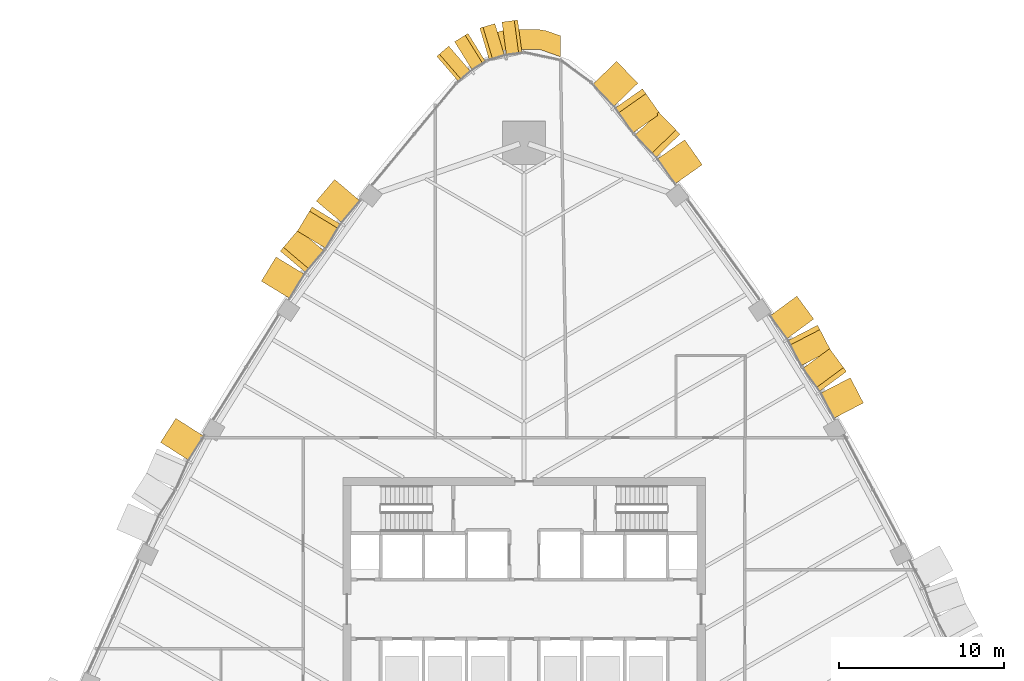
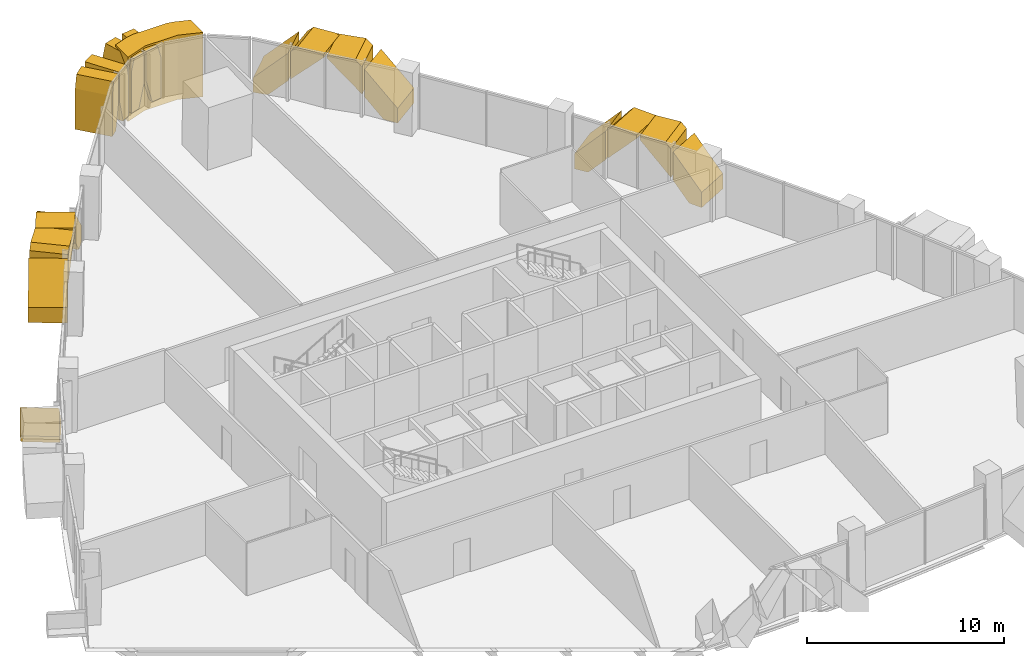
# One storey, part 16 of 17: 18 coverings.
"""IFC4 building model written with IfcOpenShell, lengths in metres."""

from ifc_helpers import new_model, si_unit, direction, frame, origin, place, context, subcontext, project, spatial, polyline, outline, extrude, material, layer, layer_set, type_object, element, save


model = new_model("IFC4")

# Units and contexts
model_context = context("Model", 3, precision=1e-05, world=origin(), true_north=direction((0.0, 1.0)))
body_context = subcontext(model_context, "Body", "Model", "MODEL_VIEW")
ifc_project = project(units=[si_unit("LENGTHUNIT", "METRE"), si_unit("AREAUNIT", "SQUARE_METRE"), si_unit("VOLUMEUNIT", "CUBIC_METRE"), si_unit("PLANEANGLEUNIT", "RADIAN"), si_unit("MASSUNIT", "GRAM", prefix="KILO")], contexts=[model_context])

# Site, building, storey
site_placement = place(None, origin())
site = spatial("IfcSite", under=ifc_project, at=site_placement, CompositionType="ELEMENT")
building_placement = place(site_placement, origin())
building = spatial("IfcBuilding", under=site, at=building_placement, Name="Sierra Prisma Convention Tower", CompositionType="ELEMENT")
storey_placement = place(building_placement, frame((0.0, 0.0, 145.800048828125)))
storey = spatial("IfcBuildingStorey", under=building, at=storey_placement, Name="L31", CompositionType="ELEMENT", Elevation=145.800048828125)

# Coverings
ifc_material_1 = material(Name="Aluminium composite bronze anodised", Category="aluminium")
ifc_layer_1 = layer(ifc_material_1, 1.199951171875)
ifc_layer_set_1 = layer_set([ifc_layer_1], Name="Bronze corner pier")
covering_type_1 = type_object("IfcCoveringType", Name="Bronze corner pier", PredefinedType="CLADDING", material=ifc_layer_set_1)
covering_1_placement = place(storey_placement, frame((0.0, 0.0, -0.60009765625)))
element("IfcCovering", 1, at=covering_1_placement, inside=storey, type_object=covering_type_1, Name="Corner pier N L31.1", PredefinedType="CLADDING", context=body_context, shape_type="SweptSolid", body=[
    extrude(outline(polyline([(-1.3603515625, 35.09326171875), (-0.9619140625, 35.161376953125), (0.9619140625, 35.161376953125), (1.3603515625, 35.09326171875), (2.199951171875, 34.7978515625), (2.199951171875, 33.525634765625), (0.9619140625, 33.961181640625), (-0.9619140625, 33.961181640625), (-2.199951171875, 33.525634765625), (-2.199951171875, 34.7978515625), (-1.3603515625, 35.09326171875)])), origin(), (0.0, 0.0, 1.0), 4.0),
])
ifc_material_2 = material(Name="Aluminium 6063-T6 bronze anodised", Category="aluminium")
ifc_layer_2 = layer(ifc_material_2, 2.0)
ifc_layer_set_2 = layer_set([ifc_layer_2], Name="Bronze crystal chevron frame")
covering_type_2 = type_object("IfcCoveringType", Name="Bronze crystal chevron frame", PredefinedType="CLADDING", material=ifc_layer_set_2)
covering_2_placement = place(storey_placement, frame((20.591552734375, 12.51171875, 0.0), z_axis=(0.887627337833, 0.460562382162, 3.5634634e-05), x_axis=(-0.460562382454, 0.887627338396, -4.555e-09)))
element("IfcCovering", 2, at=covering_2_placement, inside=storey, type_object=covering_type_2, Name="CW-2 chevron frame NE4.1.1", PredefinedType="CLADDING", context=body_context, shape_type="SweptSolid", body=[
    extrude(outline(polyline([(0.0, 0.0), (0.7571584826047386, -1.6940658945086007e-21), (1.724848879901245, 1.0458984460202074), (1.7248488718515862, 2.8132324292731035), (-4.320061357748229e-09, 0.9484863275227933), (0.0, 0.0)])), origin(), (0.0, 0.0, -1.0), 2.0),
])
covering_3_placement = place(storey_placement, frame((19.562744140625, 14.4189453125, 2.953857421875), z_axis=(0.80471118778, 0.593666491866, -2.6410711e-05), x_axis=(-2.1252995e-05, -1.5679154e-05, -0.999999999651)))
element("IfcCovering", 3, at=covering_3_placement, inside=storey, type_object=covering_type_2, Name="CW-2 chevron frame NE4.1.2", PredefinedType="CLADDING", context=body_context, shape_type="SweptSolid", body=[
    extrude(outline(polyline([(0.0, 0.0), (1.7673339837586197, -2.9939802271356837e-21), (-0.09765625019345438, 1.7247608329780504), (-0.3261718751137566, 1.7247608329780504), (-0.32617187650591295, 0.3015235497123155), (0.0, 0.0)])), origin(), (0.0, 0.0, -1.0), 2.0),
])
covering_4_placement = place(storey_placement, frame((18.6044921875, 15.701416015625, 3.280029296875), z_axis=(0.887615474039, 0.460585247012, 2.195471e-05), x_axis=(1.948734e-05, 1.0112015e-05, -0.999999999759)))
element("IfcCovering", 4, at=covering_4_placement, inside=storey, type_object=covering_type_2, Name="CW-2 chevron frame NE4.2.1", PredefinedType="CLADDING", context=body_context, shape_type="SweptSolid", body=[
    extrude(outline(polyline([(0.0, 0.0), (0.22851562494492667, 3.8712052667481695e-22), (2.093505859027673, 1.7248488850527868), (0.3261718750786089, 1.7248488850527868), (-9.620180342698328e-10, 1.423143030348667), (0.0, 0.0)])), origin(), (0.0, 0.0, -1.0), 2.0),
])
covering_5_placement = place(storey_placement, frame((16.551513671875, 18.99658203125, 0.0), z_axis=(0.804642416659, 0.593759699864, 1.14276e-05), x_axis=(-9.195132e-06, -6.785249e-06, 0.999999999935)))
element("IfcCovering", 5, at=covering_5_placement, inside=storey, type_object=covering_type_2, Name="CW-2 chevron frame NE4.2.2", PredefinedType="CLADDING", context=body_context, shape_type="SweptSolid", body=[
    extrude(outline(polyline([(0.0, 0.0), (0.9484863280630685, 8.033991699421281e-22), (2.813232421827894, 1.7249057812737236), (1.0458984375682918, 1.7249057812737236), (-3.546591102955343e-10, 0.7573468846027546), (0.0, 0.0)])), origin(), (0.0, 0.0, -1.0), 2.0),
])
covering_6_placement = place(storey_placement, frame((10.810791015625, 26.966796875, 0.0), z_axis=(0.817963094996, 0.57527069576, 4.270232e-05), x_axis=(-0.575270696284, 0.817963095742, -6.094e-09)))
element("IfcCovering", 6, at=covering_6_placement, inside=storey, type_object=covering_type_2, Name="CW-2 chevron frame NE6.1.1", PredefinedType="CLADDING", context=body_context, shape_type="SweptSolid", body=[
    extrude(outline(polyline([(0.0, 0.0), (0.7840122140020813, 0.0), (1.8532568274302477, 1.0810546997793504), (1.8532568170321013, 2.7873535263486424), (-5.5687884205800895e-09, 0.9138183585418314), (0.0, 0.0)])), origin(), (0.0, 0.0, -1.0), 2.0),
])
covering_7_placement = place(storey_placement, frame((9.4619140625, 28.824462890625, 2.9189453125), z_axis=(0.717890186924, 0.696156361207, -1.6406022e-05), x_axis=(-1.1777722e-05, -1.1421156e-05, -0.999999999865)))
element("IfcCovering", 7, at=covering_7_placement, inside=storey, type_object=covering_type_2, Name="CW-2 chevron frame NE6.1.2", PredefinedType="CLADDING", context=body_context, shape_type="SweptSolid", body=[
    extrude(outline(polyline([(0.0, 0.0), (1.7065429685203355, -2.8909962408728317e-21), (-0.167236328199682, 1.853094199753056), (-0.36108398442359424, 1.853094199753056), (-0.3610839849350987, 0.3570487969179233), (0.0, 0.0)])), origin(), (0.0, 0.0, -1.0), 2.0),
])
covering_8_placement = place(storey_placement, frame((8.251220703125, 30.05908203125, 3.280029296875), z_axis=(0.817994858695, 0.575225530249, -2.2315806e-05), x_axis=(-1.8254215e-05, -1.2836622e-05, -0.999999999751)))
element("IfcCovering", 8, at=covering_8_placement, inside=storey, type_object=covering_type_2, Name="CW-2 chevron frame NE6.2.1", PredefinedType="CLADDING", context=body_context, shape_type="SweptSolid", body=[
    extrude(outline(polyline([(0.0, 0.0), (0.1938476562017324, -3.28390703183552e-22), (2.067626952789984, 1.8534565344201255), (0.3610839844649091, 1.8534565344201255), (-9.463854293096307e-10, 1.496161675364412), (0.0, 0.0)])), origin(), (0.0, 0.0, -1.0), 2.0),
])
covering_9_placement = place(storey_placement, frame((5.6123046875, 33.247314453125, 0.0), z_axis=(0.717973878847, 0.696070044901, -4.3412628e-05), x_axis=(3.1169133e-05, 3.021823e-05, 0.999999999058)))
element("IfcCovering", 9, at=covering_9_placement, inside=storey, type_object=covering_type_2, Name="CW-2 chevron frame NE6.2.2", PredefinedType="CLADDING", context=body_context, shape_type="SweptSolid", body=[
    extrude(outline(polyline([(0.0, 0.0), (0.9138183585138833, -3.0961370327859826e-21), (2.787353515035815, 1.8532694736638708), (1.0810546885187082, 1.8532694736638708), (-4.938020201384632e-09, 0.7840244916995822), (0.0, 0.0)])), origin(), (0.0, 0.0, -1.0), 2.0),
])
covering_10_placement = place(storey_placement, frame((-0.39306640625, 35.75244140625, 0.0), z_axis=(-0.13239590681, 0.991196914687, -1.3261144e-05), x_axis=(-0.991196914774, -0.132395906821, 2.344e-09)))
element("IfcCovering", 10, at=covering_10_placement, inside=storey, type_object=covering_type_2, Name="CW-2 chevron frame N3.1.1", PredefinedType="CLADDING", context=body_context, shape_type="SweptSolid", body=[
    extrude(outline(polyline([(0.0, 0.0), (0.5613247374128445, 0.0), (0.9551862131890664, 1.4577636694797094), (0.9551862174605866, 3.2800292943194798), (0.20416646083749082, 3.280029298453789), (5.9151169384086e-09, 2.523437499778117), (0.0, 0.0)])), origin(), (0.0, 0.0, -1.0), 2.0),
])
covering_11_placement = place(storey_placement, frame((-1.773193359375, 35.532958984375, 3.280029296875), z_axis=(-0.286040046904, 0.958217663742, 2.1452273e-05), x_axis=(-6.136209e-06, 2.0555947e-05, -0.99999999977)))
element("IfcCovering", 11, at=covering_11_placement, inside=storey, type_object=covering_type_2, Name="CW-2 chevron frame N3.1.2", PredefinedType="CLADDING", context=body_context, shape_type="SweptSolid", body=[
    extrude(outline(polyline([(0.0, 0.0), (1.8222656245806967, 0.0), (3.2800292986319493, 0.3938644946628205), (3.280029296741261, 0.9551847741099018), (0.756591797321904, 0.9551847741099018), (7.601614915703464e-11, 0.7511086217515897), (0.0, 0.0)])), origin(), (0.0, 0.0, -1.0), 2.0),
])
covering_12_placement = place(storey_placement, frame((-3.4052734375, 34.937255859375, 0.0), z_axis=(-0.527798150288, 0.849369832471, 1.5488819e-05), x_axis=(-0.849369832573, -0.527798150352, -1.23e-09)))
element("IfcCovering", 12, at=covering_12_placement, inside=storey, type_object=covering_type_2, Name="CW-2 chevron frame N4.1.1", PredefinedType="CLADDING", context=body_context, shape_type="SweptSolid", body=[
    extrude(outline(polyline([(0.0, 0.0), (0.5616249041442578, -1.6940658945086007e-21), (0.9551658024353915, 1.4577636731598438), (0.9551658001948863, 3.28002929794126), (0.20439177658603588, 3.2800292973264744), (-3.102607484021114e-09, 2.5234374996973097), (0.0, 0.0)])), origin(), (0.0, 0.0, -1.0), 2.0),
])
covering_13_placement = place(storey_placement, frame((-4.57373046875, 34.17041015625, 3.280029296875), z_axis=(-0.654000212297, 0.756494363703, -1.000926e-06), x_axis=(6.54606e-07, -7.57195e-07, -0.999999999999)))
element("IfcCovering", 13, at=covering_13_placement, inside=storey, type_object=covering_type_2, Name="CW-2 chevron frame N4.1.2", PredefinedType="CLADDING", context=body_context, shape_type="SweptSolid", body=[
    extrude(outline(polyline([(0.0, 0.0), (1.8222656249990872, 1.929398778779937e-22), (3.280029296927434, 0.3937727899638329), (3.2800292968803086, 0.9552758446853029), (0.7565917968815727, 0.9552758446853029), (5.086876116760525e-11, 0.7510280301465073), (0.0, 0.0)])), origin(), (0.0, 0.0, -1.0), 2.0),
])
covering_14_placement = place(storey_placement, frame((-11.496826171875, 26.076416015625, 0.0), z_axis=(-0.76300821554, 0.646388786271, 8.18413e-07), x_axis=(-0.646388786272, -0.763008215541, -2e-12)))
element("IfcCovering", 14, at=covering_14_placement, inside=storey, type_object=covering_type_2, Name="CW-2 chevron frame NW2.1.1", PredefinedType="CLADDING", context=body_context, shape_type="SweptSolid", body=[
    extrude(outline(polyline([(0.0, 0.0), (0.7557737711025827, -5.293955920339377e-23), (1.7166445580978988, 1.0437011718794913), (1.7166445580936247, 2.815185546878898), (-2.2943230923768146e-12, 0.9509277343746815), (0.0, 0.0)])), origin(), (0.0, 0.0, -1.0), 2.0),
])
covering_15_placement = place(storey_placement, frame((-12.86572265625, 24.40673828125, 2.956298828125), z_axis=(-0.854780647146, 0.518989445638, 2.4122812e-05), x_axis=(-2.0619713e-05, 1.2519485e-05, -0.999999999709)))
element("IfcCovering", 15, at=covering_15_placement, inside=storey, type_object=covering_type_2, Name="CW-2 chevron frame NW2.1.2", PredefinedType="CLADDING", context=body_context, shape_type="SweptSolid", body=[
    extrude(outline(polyline([(0.0, 0.0), (1.7714843744845776, 0.0), (-0.09277343766138912, 1.7165586373347483), (-0.32373046884419104, 1.7165586373347483), (-0.3237304700094319, 0.2978653648477966), (0.0, 0.0)])), origin(), (0.0, 0.0, -1.0), 2.0),
])
covering_16_placement = place(storey_placement, frame((-13.68408203125, 23.040283203125, 3.280029296875), z_axis=(-0.763011501571, 0.646384906908, 2.4320572e-05), x_axis=(-1.8556876e-05, 1.5720451e-05, -0.999999999704)))
element("IfcCovering", 16, at=covering_16_placement, inside=storey, type_object=covering_type_2, Name="CW-2 chevron frame NW2.2.1", PredefinedType="CLADDING", context=body_context, shape_type="SweptSolid", body=[
    extrude(outline(polyline([(0.0, 0.0), (0.23095703118169558, -3.912564297375821e-22), (2.0952148433218336, 1.7166445580825744), (0.3237304688457417, 1.7166445580825744), (-1.1844244932064489e-09, 1.4187047631914167), (0.0, 0.0)])), origin(), (0.0, 0.0, -1.0), 2.0),
])
covering_17_placement = place(storey_placement, frame((-15.94384765625, 19.903564453125, 0.0), z_axis=(-0.854673960196, 0.519165119378, -2.4151491e-05), x_axis=(-2.0641651e-05, 1.2538612e-05, 0.999999999708)))
element("IfcCovering", 17, at=covering_17_placement, inside=storey, type_object=covering_type_2, Name="CW-2 chevron frame NW2.2.2", PredefinedType="CLADDING", context=body_context, shape_type="SweptSolid", body=[
    extrude(outline(polyline([(0.0, 0.0), (0.9509277340976645, 0.0), (2.815185546662744, 1.7164766881349667), (1.0437011721793927, 1.7164766881349667), (-1.5879681120968602e-09, 0.7555934991364148), (0.0, 0.0)])), origin(), (0.0, 0.0, -1.0), 2.0),
])
covering_18_placement = place(storey_placement, frame((-21.13134765625, 11.576904296875, 0.0), z_axis=(-0.842714220744, 0.538361163282, 5.094195e-06), x_axis=(-0.538361163289, -0.842714220755, -9.3e-11)))
element("IfcCovering", 18, at=covering_18_placement, inside=storey, type_object=covering_type_2, Name="CW-2 chevron frame NW4.1.1", PredefinedType="CLADDING", context=body_context, shape_type="SweptSolid", body=[
    extrude(outline(polyline([(0.0, 0.0), (0.7573042274768753, 4.235164736271502e-22), (1.7246253075541513, 1.0458984376740716), (1.7246253073896762, 2.8132324220261395), (-8.82699366343251e-11, 0.9484863281126931), (0.0, 0.0)])), origin(), (0.0, 0.0, -1.0), 2.0),
])

save(model, "model.ifc")
